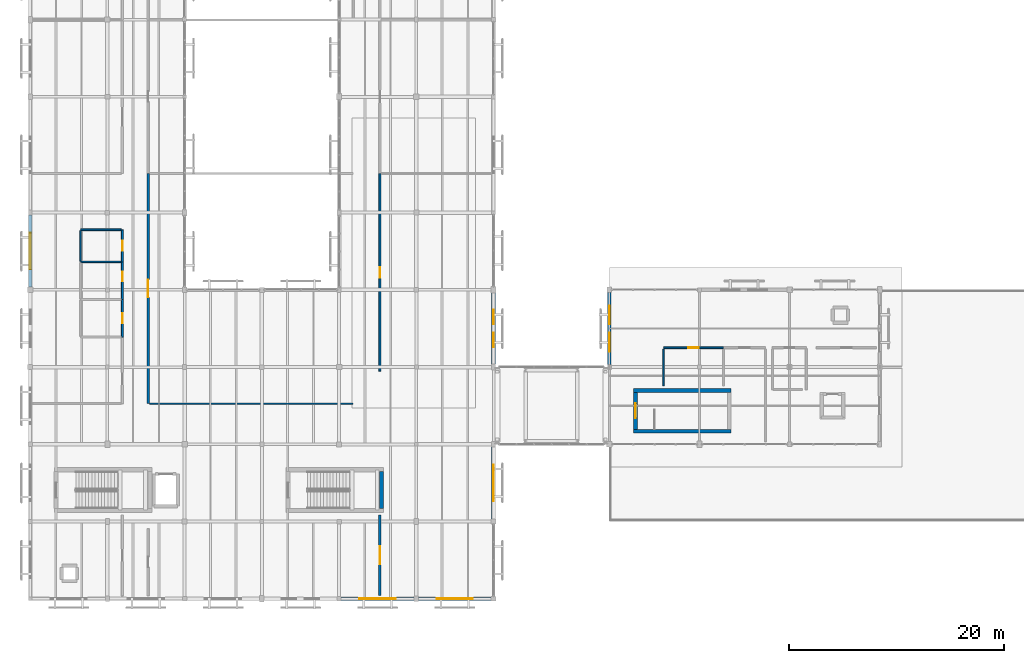
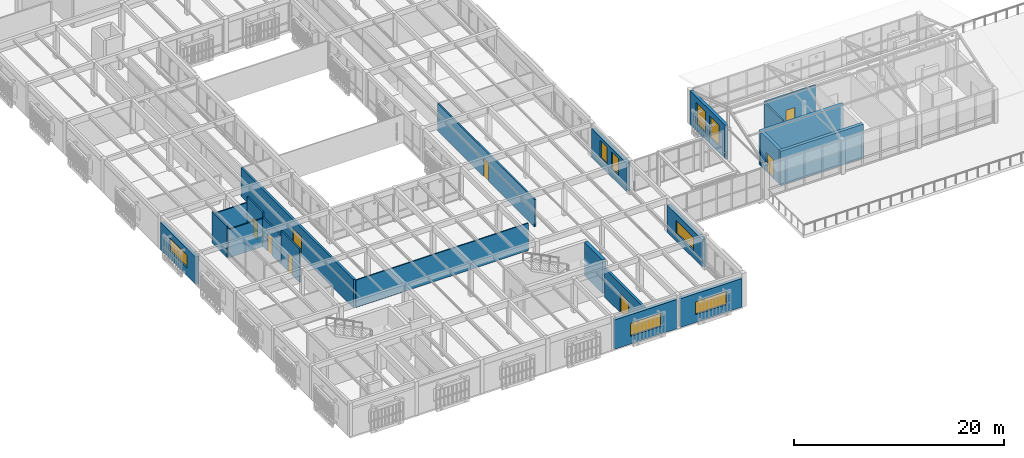
# One storey, part 80 of 112: 22 walls, 8 doors, 8 windows, 16 openings.
"""IFC4 building model written with IfcOpenShell, lengths in metres."""

import ifcopenshell
import ifcopenshell.guid

model = None  # the IFC model being written
_history = None  # IfcOwnerHistory: only IFC2X3 demands one
_inside = {}  # id of a spatial element -> (the spatial element, [elements in it])
_under = {}  # id of a project, library or spatial element -> (it, [spatial elements below it])
_declared = {}  # id of a project -> (the project, [libraries it declares])
_typed = {}  # id of a type object -> (the type object, [elements of that type])
_made_of = {}  # id of a material, layer set ... -> (it, [elements and type objects made of it])


def new_model(schema):
    """Start an empty IFC model of exactly this schema.

    Asked for "IFC4X3", IfcOpenShell would pick the latest addendum, in which some entities
    have other attributes; the version numbers below select the first issue.
    IFC2X3 requires an IfcOwnerHistory on every rooted entity: one is made here for all.
    """
    global model, _history
    if schema == "IFC4X3":
        model = ifcopenshell.file(schema_version=(4, 3, 0, 0))
    else:
        model = ifcopenshell.file(schema=schema)
    _inside.clear()
    _under.clear()
    _declared.clear()
    _typed.clear()
    _made_of.clear()
    _history = None
    if model.schema == "IFC2X3":
        org = make("IfcOrganization", Name="unknown")
        user = make(
            "IfcPersonAndOrganization",
            ThePerson=make("IfcPerson", FamilyName="unknown"),
            TheOrganization=org,
        )
        app = make(
            "IfcApplication",
            ApplicationDeveloper=org,
            Version="unknown",
            ApplicationFullName="unknown",
            ApplicationIdentifier="unknown",
        )
        _history = make(
            "IfcOwnerHistory",
            OwningUser=user,
            OwningApplication=app,
            ChangeAction="ADDED",
            CreationDate=0,
        )
    return model


def make(cls, **values):
    """One entity of the class cls with the attributes given. An attribute that is None is left unset."""
    return model.create_entity(
        cls, **{name: value for name, value in values.items() if value is not None}
    )


def rooted(cls, **values):
    """An entity with a GlobalId (a new one), such as an element, a storey or a relation."""
    return make(cls, GlobalId=ifcopenshell.guid.new(), OwnerHistory=_history, **values)


def si_unit(unit_type, name, prefix=None):
    """IfcSIUnit, for example si_unit("LENGTHUNIT", "METRE", prefix="MILLI")."""
    return make("IfcSIUnit", UnitType=unit_type, Prefix=prefix, Name=name)


def assignment(units):
    """IfcUnitAssignment: the units of a project."""
    return None if units is None else make("IfcUnitAssignment", Units=units)


def point(xyz):
    """IfcCartesianPoint."""
    return None if xyz is None else make("IfcCartesianPoint", Coordinates=xyz)


def direction(xyz):
    """IfcDirection."""
    return None if xyz is None else make("IfcDirection", DirectionRatios=xyz)


def frame(location, z_axis=None, x_axis=None):
    """IfcAxis2Placement3D, a coordinate frame: its origin and axes. An axis left out is left unset."""
    return make(
        "IfcAxis2Placement3D",
        Location=point(location),
        Axis=direction(z_axis),
        RefDirection=direction(x_axis),
    )


def frame_2d(location, x_axis=None):
    """IfcAxis2Placement2D, a coordinate frame in the plane: its origin and x axis."""
    return make(
        "IfcAxis2Placement2D", Location=point(location), RefDirection=direction(x_axis)
    )


def origin():
    """The frame at (0, 0, 0) with its axes left unset."""
    return frame((0.0, 0.0, 0.0))


def place(relative_to, where):
    """IfcLocalPlacement: puts the frame where relative to a parent placement (None: the world)."""
    return make(
        "IfcLocalPlacement", PlacementRelTo=relative_to, RelativePlacement=where
    )


def context(
    kind, dimensions, precision=None, world=None, true_north=None, identifier=None
):
    """IfcGeometricRepresentationContext, for example the 3D "Model" context."""
    return make(
        "IfcGeometricRepresentationContext",
        ContextIdentifier=identifier,
        ContextType=kind,
        CoordinateSpaceDimension=dimensions,
        Precision=precision,
        WorldCoordinateSystem=world,
        TrueNorth=true_north,
    )


def subcontext(parent, identifier, kind, view, scale=None):
    """IfcGeometricRepresentationSubContext, for example "Body" below "Model"."""
    return make(
        "IfcGeometricRepresentationSubContext",
        ContextIdentifier=identifier,
        ContextType=kind,
        ParentContext=parent,
        TargetScale=scale,
        TargetView=view,
    )


def project(units=None, contexts=None):
    """IfcProject with its units and contexts."""
    return rooted(
        "IfcProject",
        Name="project",
        RepresentationContexts=contexts,
        UnitsInContext=assignment(units),
    )


def spatial(cls, under=None, at=None, **own):
    """A site, building, storey or space (cls), placed at a placement, below another one or the project."""
    s = rooted(cls, ObjectPlacement=at, **own)
    if under is not None:
        _under.setdefault(under.id(), (under, []))[1].append(s)
    return s


def profile(cls, at=None, kind="AREA", **sizes):
    """A parametric profile (cls). Its sizes go by their IFC names, for example OverallWidth=200.0."""
    return make(cls, ProfileType=kind, Position=at, **sizes)


def rectangle(**sizes):
    """IfcRectangleProfileDef."""
    return profile("IfcRectangleProfileDef", **sizes)


def extrude(swept, where, along, depth):
    """IfcExtrudedAreaSolid: the profile swept, set in the frame where, extruded along a direction by depth."""
    return make(
        "IfcExtrudedAreaSolid",
        SweptArea=swept,
        Position=where,
        ExtrudedDirection=direction(along),
        Depth=depth,
    )


def shape(context_of_items, identifier, shape_type, items):
    """IfcShapeRepresentation: the items that make up one representation, for example the "Body"."""
    return make(
        "IfcShapeRepresentation",
        ContextOfItems=context_of_items,
        RepresentationIdentifier=identifier,
        RepresentationType=shape_type,
        Items=items,
    )


def material(Name=None, Category=None):
    """IfcMaterial."""
    return make("IfcMaterial", Name=Name, Category=Category)


def layer(
    of_material, thickness, ventilated=None, Name=None, Category=None, Priority=None
):
    """IfcMaterialLayer: one layer of a wall or slab, of a material (None: an air gap)."""
    return make(
        "IfcMaterialLayer",
        Material=of_material,
        LayerThickness=thickness,
        IsVentilated=ventilated,
        Name=Name,
        Category=Category,
        Priority=Priority,
    )


def layer_set(layers, Name=None):
    """IfcMaterialLayerSet."""
    return make("IfcMaterialLayerSet", MaterialLayers=layers, LayerSetName=Name)


def made_of(thing, what):
    """Note that an element or type object is made of a material, layer set ...; save() writes the relation."""
    if what is not None:
        _made_of.setdefault(what.id(), (what, []))[1].append(thing)
    return thing


def type_object(cls, material=None, **own):
    """A type object (cls), such as IfcWallType, which elements share."""
    return made_of(rooted(cls, **own), material)


def element(
    cls,
    number,
    at=None,
    inside=None,
    cuts=None,
    type_object=None,
    material=None,
    context=None,
    identifier="Body",
    shape_type=None,
    held_by="IfcProductDefinitionShape",
    body=None,
    shapes=None,
    **own,
):
    """One element of the class cls, such as IfcWall. Its Tag is "e" and its number.

    at: its placement. inside: the storey or other place that contains it. cuts: it is an
    opening in that element (IfcRelVoidsElement). A single representation is given by context,
    identifier, shape_type and body (its items); several are given by shapes. held_by: the class
    of the entity that holds the representations. save() writes the other relations.
    """
    e = rooted(cls, Tag="e%d" % number, ObjectPlacement=at, **own)
    if body is not None:
        shapes = [shape(context, identifier, shape_type, body)]
    if shapes is not None:
        e.Representation = make(held_by, Representations=shapes)
    if inside is not None:
        _inside.setdefault(inside.id(), (inside, []))[1].append(e)
    if cuts is not None:
        rooted(
            "IfcRelVoidsElement", RelatingBuildingElement=cuts, RelatedOpeningElement=e
        )
    if type_object is not None:
        _typed.setdefault(type_object.id(), (type_object, []))[1].append(e)
    return made_of(e, material)


def fill(opening, filler):
    """IfcRelFillsElement: the door or window that sits in an opening."""
    return rooted(
        "IfcRelFillsElement",
        RelatingOpeningElement=opening,
        RelatedBuildingElement=filler,
    )


def aggregate(whole, parts):
    """IfcRelAggregates: a whole, such as a stair, and the parts it consists of."""
    return rooted("IfcRelAggregates", RelatingObject=whole, RelatedObjects=parts)


def save(model, path):
    """Write the relations noted so far, then the file.

    IfcRelAggregates (storeys below a building ...), IfcRelContainedInSpatialStructure (elements
    in a storey), IfcRelDefinesByType, IfcRelAssociatesMaterial and IfcRelDeclares: one each for
    every whole, place, type object, material and project.
    """
    for whole, parts in _under.values():
        aggregate(whole, parts)
    for where, things in _inside.values():
        rooted(
            "IfcRelContainedInSpatialStructure",
            RelatedElements=things,
            RelatingStructure=where,
        )
    for kind, things in _typed.values():
        rooted("IfcRelDefinesByType", RelatedObjects=things, RelatingType=kind)
    for what, things in _made_of.values():
        rooted("IfcRelAssociatesMaterial", RelatedObjects=things, RelatingMaterial=what)
    for by, libraries in _declared.values():
        rooted("IfcRelDeclares", RelatingContext=by, RelatedDefinitions=libraries)
    model.write(path)


model = new_model("IFC4")

# Units and contexts
model_context = context("Model", 3, precision=1e-05, world=origin(), true_north=direction((0.0, 1.0)))
body_context = subcontext(model_context, "Body", "Model", "MODEL_VIEW")
ifc_project = project(units=[si_unit("LENGTHUNIT", "METRE"), si_unit("AREAUNIT", "SQUARE_METRE"), si_unit("VOLUMEUNIT", "CUBIC_METRE"), si_unit("PLANEANGLEUNIT", "RADIAN"), si_unit("MASSUNIT", "GRAM", prefix="KILO")], contexts=[model_context])

# Site, building, storey
site_placement = place(None, origin())
site = spatial("IfcSite", under=ifc_project, at=site_placement, CompositionType="ELEMENT")
building_placement = place(site_placement, origin())
building = spatial("IfcBuilding", under=site, at=building_placement, Name="Mazaris Harbour Polytechnic", CompositionType="ELEMENT")
storey_placement = place(building_placement, frame((0.0, 0.0, 13.800048828125)))
storey = spatial("IfcBuildingStorey", under=building, at=storey_placement, Name="L03", CompositionType="ELEMENT", Elevation=13.800048828125)

# Wall
ifc_material_1 = material(Name="Gypsum Board and Mineral Wool")
ifc_layer_1 = layer(ifc_material_1, 0.1201171875, Name="Gypsum Board and Mineral Wool")
ifc_layer_set_1 = layer_set([ifc_layer_1], Name="Gypsum Board and Mineral Wool")
wall_type_1 = type_object("IfcWallType", Name="Acoustic Stud Partition 120", PredefinedType="PARTITIONING", material=ifc_layer_set_1)
wall_1_placement = place(storey_placement, frame((11.1298828125, 25.385009765625, 0.0), z_axis=(0.0, 0.0, 1.0), x_axis=(1.0, 0.0, 0.0)))
element("IfcWall", 1, at=wall_1_placement, inside=storey, type_object=wall_type_1, Name="V4 L03 Partition 419", PredefinedType="PARTITIONING", context=body_context, shape_type="SweptSolid", body=[
    extrude(rectangle(XDim=18.9501953125, YDim=0.1201171875, at=frame_2d((9.47509765625, 0.0))), origin(), (0.0, 0.0, 1.0), 3.179931640625),
])

# Wall, opening, door
ifc_material_2 = material(Name="Concrete C35/45", Category="concrete")
ifc_layer_2 = layer(ifc_material_2, 0.239990234375, Name="Concrete C35/45")
ifc_layer_set_2 = layer_set([ifc_layer_2], Name="Concrete C35/45")
wall_type_2 = type_object("IfcWallType", Name="Archive Vault Fire Wall 240", PredefinedType="STANDARD", material=ifc_layer_set_2)
wall_2_placement = place(storey_placement, frame((11.0, 25.385009765625, 0.0), z_axis=(0.0, 0.0, 1.0), x_axis=(0.0, 1.0, 0.0)))
wall_2 = element("IfcWall", 2, at=wall_2_placement, inside=storey, type_object=wall_type_2, Name="V4 L03 Partition 418", PredefinedType="STANDARD", context=body_context, shape_type="SweptSolid", body=[
    extrude(rectangle(XDim=21.4619140625, YDim=0.239990234375, at=frame_2d((10.73095703125, 0.0))), origin(), (0.0, 0.0, 1.0), 3.280029296875),
])
opening_1_placement = place(wall_2_placement, frame((9.906005859375, 0.0, 0.0)))
opening_1 = element("IfcOpeningElement", 3, at=opening_1_placement, cuts=wall_2, Name="Opening ID-06D", PredefinedType="OPENING", context=body_context, shape_type="SweptSolid", body=[
    extrude(rectangle(XDim=1.64990234375, YDim=2.25, at=frame_2d((0.824951171875, 1.125))), frame((0.0, 0.1298828125, 0.0), z_axis=(0.0, -1.0, 0.0), x_axis=(1.0, 0.0, 0.0)), (0.0, 0.0, 1.0), 0.260009765625),
])
ifc_material_3 = material(Name="Galvanised Steel S355", Category="steel")
door_type_1 = type_object("IfcDoorType", Name="Plant and Substation Double Door 1650x2250", OperationType="DOUBLE_DOOR_SINGLE_SWING", PredefinedType="DOOR", material=ifc_material_3)
door_1_placement = place(opening_1_placement, origin())
door_1 = element("IfcDoor", 4, at=door_1_placement, inside=storey, type_object=door_type_1, Name="ID-0198", OperationType="DOUBLE_DOOR_SINGLE_SWING", OverallHeight=2.25, OverallWidth=1.64990234375, PredefinedType="DOOR", context=body_context, shape_type="SweptSolid", body=[
    extrude(rectangle(XDim=1.64990234375, YDim=2.25, at=frame_2d((0.824951171875, 1.125))), frame((0.0, 0.02490234375, 0.0), z_axis=(0.0, -1.0, 0.0), x_axis=(1.0, 0.0, 0.0)), (0.0, 0.0, 1.0), 0.050048828125),
])
fill(opening_1, door_1)

wall_3_placement = place(storey_placement, frame((32.60009765625, 7.5, 0.0), z_axis=(0.0, 0.0, 1.0), x_axis=(0.0, 1.0, 0.0)))
wall_3 = element("IfcWall", 5, at=wall_3_placement, inside=storey, type_object=wall_type_2, Name="V4 L03 Partition 427", PredefinedType="STANDARD", context=body_context, shape_type="SweptSolid", body=[
    extrude(rectangle(XDim=7.4951171875, YDim=0.239990234375, at=frame_2d((3.74755859375, 0.0))), origin(), (0.0, 0.0, 1.0), 3.33984375),
])
opening_2_placement = place(wall_3_placement, frame((2.922607421875, 0.0, 0.0)))
opening_2 = element("IfcOpeningElement", 6, at=opening_2_placement, cuts=wall_3, Name="Opening ID-06D", PredefinedType="OPENING", context=body_context, shape_type="SweptSolid", body=[
    extrude(rectangle(XDim=1.64990234375, YDim=2.25, at=frame_2d((0.824951171875, 1.125))), frame((0.0, 0.1298828125, 0.0), z_axis=(0.0, -1.0, 0.0), x_axis=(1.0, 0.0, 0.0)), (0.0, 0.0, 1.0), 0.260009765625),
])
door_2_placement = place(opening_2_placement, origin())
door_2 = element("IfcDoor", 7, at=door_2_placement, inside=storey, type_object=door_type_1, Name="ID-0202", OperationType="DOUBLE_DOOR_SINGLE_SWING", OverallHeight=2.25, OverallWidth=1.64990234375, PredefinedType="DOOR", context=body_context, shape_type="SweptSolid", body=[
    extrude(rectangle(XDim=1.64990234375, YDim=2.25, at=frame_2d((0.824951171875, 1.125))), frame((0.0, 0.02490234375, 0.0), z_axis=(0.0, -1.0, 0.0), x_axis=(1.0, 0.0, 0.0)), (0.0, 0.0, 1.0), 0.050048828125),
])
fill(opening_2, door_2)

ifc_material_4 = material(Name="Terracotta Block and Plaster", Category="masonry")
ifc_layer_3 = layer(ifc_material_4, 0.179931640625, Name="Terracotta Block and Plaster")
ifc_layer_set_3 = layer_set([ifc_layer_3], Name="Terracotta Block and Plaster")
wall_type_3 = type_object("IfcWallType", Name="Corridor Fire Partition 180", PredefinedType="PARTITIONING", material=ifc_layer_set_3)
wall_4_placement = place(storey_placement, frame((59.049072265625, 30.60009765625, 0.0), z_axis=(0.0, 0.0, 1.0), x_axis=(1.0, 0.0, 0.0)))
wall_4 = element("IfcWall", 8, at=wall_4_placement, inside=storey, type_object=wall_type_3, Name="V3 L03 Partition 237", PredefinedType="PARTITIONING", context=body_context, shape_type="SweptSolid", body=[
    extrude(rectangle(XDim=5.60498046875, YDim=0.179931640625, at=frame_2d((2.802490234375, 0.0))), origin(), (0.0, 0.0, 1.0), 3.9599609375),
])
opening_3_placement = place(wall_4_placement, frame((2.3125, 0.0, 0.0)))
opening_3 = element("IfcOpeningElement", 9, at=opening_3_placement, cuts=wall_4, Name="Opening ID-08L", PredefinedType="OPENING", context=body_context, shape_type="SweptSolid", body=[
    extrude(rectangle(XDim=0.97998046875, YDim=2.179931640625, at=frame_2d((0.489990234375, 1.08984375))), frame((0.0, 0.099853515625, 0.0), z_axis=(0.0, -1.0, 0.0), x_axis=(1.0, 0.0, 0.0)), (0.0, 0.0, 1.0), 0.199951171875),
])
ifc_material_5 = material(Name="Solid Oak Timber", Category="wood")
door_type_2 = type_object("IfcDoorType", Name="Seminar Room Door LH 980x2180", OperationType="SINGLE_SWING_LEFT", PredefinedType="DOOR", material=ifc_material_5)
door_3_placement = place(opening_3_placement, origin())
door_3 = element("IfcDoor", 10, at=door_3_placement, inside=storey, type_object=door_type_2, Name="ID-0108", OperationType="SINGLE_SWING_LEFT", OverallHeight=2.179931640625, OverallWidth=0.97998046875, PredefinedType="DOOR", context=body_context, shape_type="SweptSolid", body=[
    extrude(rectangle(XDim=0.97998046875, YDim=2.179931640625, at=frame_2d((0.489990234375, 1.08984375))), frame((0.0, 0.02490234375, 0.0), z_axis=(0.0, -1.0, 0.0), x_axis=(1.0, 0.0, 0.0)), (0.0, 0.0, 1.0), 0.050048828125),
])
fill(opening_3, door_3)

wall_5_placement = place(storey_placement, frame((32.60009765625, 28.419921875, 0.0), z_axis=(0.0, 0.0, 1.0), x_axis=(0.0, 1.0, 0.0)))
wall_5 = element("IfcWall", 11, at=wall_5_placement, inside=storey, type_object=wall_type_3, Name="V4 L03 Partition 428", PredefinedType="PARTITIONING", context=body_context, shape_type="SweptSolid", body=[
    extrude(rectangle(XDim=18.427001953125, YDim=0.179931640625, at=frame_2d((9.21337890625, 0.0))), origin(), (0.0, 0.0, 1.0), 3.179931640625),
])
opening_4_placement = place(wall_5_placement, frame((8.723388671875, 0.0, 0.0)))
opening_4 = element("IfcOpeningElement", 12, at=opening_4_placement, cuts=wall_5, Name="Opening ID-08L", PredefinedType="OPENING", context=body_context, shape_type="SweptSolid", body=[
    extrude(rectangle(XDim=0.97998046875, YDim=2.179931640625, at=frame_2d((0.489990234375, 1.08984375))), frame((0.0, 0.099853515625, 0.0), z_axis=(0.0, -1.0, 0.0), x_axis=(1.0, 0.0, 0.0)), (0.0, 0.0, 1.0), 0.199951171875),
])
door_4_placement = place(opening_4_placement, origin())
door_4 = element("IfcDoor", 13, at=door_4_placement, inside=storey, type_object=door_type_2, Name="ID-0203", OperationType="SINGLE_SWING_LEFT", OverallHeight=2.179931640625, OverallWidth=0.97998046875, PredefinedType="DOOR", context=body_context, shape_type="SweptSolid", body=[
    extrude(rectangle(XDim=0.97998046875, YDim=2.179931640625, at=frame_2d((0.489990234375, 1.08984375))), frame((0.0, 0.02490234375, 0.0), z_axis=(0.0, -1.0, 0.0), x_axis=(1.0, 0.0, 0.0)), (0.0, 0.0, 1.0), 0.050048828125),
])
fill(opening_4, door_4)

ifc_material_6 = material(Name="Moisture-Resistant Blockwork", Category="masonry")
ifc_layer_4 = layer(ifc_material_6, 0.175048828125, Name="Moisture-Resistant Blockwork")
ifc_layer_set_4 = layer_set([ifc_layer_4], Name="Moisture-Resistant Blockwork")
wall_type_4 = type_object("IfcWallType", Name="Laboratory Wet Service Wall 175", PredefinedType="PLUMBINGWALL", material=ifc_layer_set_4)
wall_6_placement = place(storey_placement, frame((8.60009765625, 31.60009765625, 0.0), z_axis=(0.0, 0.0, 1.0), x_axis=(0.0, 1.0, 0.0)))
wall_6 = element("IfcWall", 14, at=wall_6_placement, inside=storey, type_object=wall_type_4, Name="V4 L03 Partition 398", PredefinedType="PLUMBINGWALL", context=body_context, shape_type="SweptSolid", body=[
    extrude(rectangle(XDim=3.5, YDim=0.175048828125, at=frame_2d((1.75, 0.0))), origin(), (0.0, 0.0, 1.0), 3.919921875),
])
opening_5_placement = place(wall_6_placement, frame((1.300048828125, 0.0, 0.0)))
opening_5 = element("IfcOpeningElement", 15, at=opening_5_placement, cuts=wall_6, Name="Opening ID-07R", PredefinedType="OPENING", context=body_context, shape_type="SweptSolid", body=[
    extrude(rectangle(XDim=0.89990234375, YDim=2.10009765625, at=frame_2d((0.449951171875, 1.050048828125))), frame((0.0, 0.097412109375, 0.0), z_axis=(0.0, -1.0, 0.0), x_axis=(1.0, 0.0, 0.0)), (0.0, 0.0, 1.0), 0.195068359375),
])
ifc_material_7 = material(Name="Moisture-Resistant Laminate Timber", Category="wood")
door_type_3 = type_object("IfcDoorType", Name="Sanitary Room Door RH 900x2100", OperationType="SINGLE_SWING_RIGHT", PredefinedType="DOOR", material=ifc_material_7)
door_5_placement = place(opening_5_placement, origin())
door_5 = element("IfcDoor", 16, at=door_5_placement, inside=storey, type_object=door_type_3, Name="ID-0189", OperationType="SINGLE_SWING_RIGHT", OverallHeight=2.10009765625, OverallWidth=0.89990234375, PredefinedType="DOOR", context=body_context, shape_type="SweptSolid", body=[
    extrude(rectangle(XDim=0.89990234375, YDim=2.10009765625, at=frame_2d((0.449951171875, 1.050048828125))), frame((0.0, 0.02490234375, 0.0), z_axis=(0.0, -1.0, 0.0), x_axis=(1.0, 0.0, 0.0)), (0.0, 0.0, 1.0), 0.050048828125),
])
fill(opening_5, door_5)

wall_7_placement = place(storey_placement, frame((8.60009765625, 35.10498046875, 0.0), z_axis=(0.0, 0.0, 1.0), x_axis=(0.0, 1.0, 0.0)))
wall_7 = element("IfcWall", 17, at=wall_7_placement, inside=storey, type_object=wall_type_4, Name="V4 L03 Partition 402", PredefinedType="PLUMBINGWALL", context=body_context, shape_type="SweptSolid", body=[
    extrude(rectangle(XDim=3.4951171875, YDim=0.175048828125, at=frame_2d((1.74755859375, 0.0))), origin(), (0.0, 0.0, 1.0), 3.33984375),
])
opening_6_placement = place(wall_7_placement, frame((1.686767578125, 0.0, 0.0)))
opening_6 = element("IfcOpeningElement", 18, at=opening_6_placement, cuts=wall_7, Name="Opening ID-07R", PredefinedType="OPENING", context=body_context, shape_type="SweptSolid", body=[
    extrude(rectangle(XDim=0.89990234375, YDim=2.10009765625, at=frame_2d((0.449951171875, 1.050048828125))), frame((0.0, 0.097412109375, 0.0), z_axis=(0.0, -1.0, 0.0), x_axis=(1.0, 0.0, 0.0)), (0.0, 0.0, 1.0), 0.195068359375),
])
door_6_placement = place(opening_6_placement, origin())
door_6 = element("IfcDoor", 19, at=door_6_placement, inside=storey, type_object=door_type_3, Name="ID-0190", OperationType="SINGLE_SWING_RIGHT", OverallHeight=2.10009765625, OverallWidth=0.89990234375, PredefinedType="DOOR", context=body_context, shape_type="SweptSolid", body=[
    extrude(rectangle(XDim=0.89990234375, YDim=2.10009765625, at=frame_2d((0.449951171875, 1.050048828125))), frame((0.0, 0.02490234375, 0.0), z_axis=(0.0, -1.0, 0.0), x_axis=(1.0, 0.0, 0.0)), (0.0, 0.0, 1.0), 0.050048828125),
])
fill(opening_6, door_6)

wall_8_placement = place(storey_placement, frame((8.60009765625, 38.60498046875, 0.0), z_axis=(0.0, 0.0, 1.0), x_axis=(0.0, 1.0, 0.0)))
wall_8 = element("IfcWall", 20, at=wall_8_placement, inside=storey, type_object=wall_type_4, Name="V4 L03 Partition 405", PredefinedType="PLUMBINGWALL", context=body_context, shape_type="SweptSolid", body=[
    extrude(rectangle(XDim=2.9951171875, YDim=0.175048828125, at=frame_2d((1.49755859375, 0.0))), origin(), (0.0, 0.0, 1.0), 3.919921875),
])
opening_7_placement = place(wall_8_placement, frame((1.03759765625, 0.0, 0.0)))
opening_7 = element("IfcOpeningElement", 21, at=opening_7_placement, cuts=wall_8, Name="Opening ID-07L", PredefinedType="OPENING", context=body_context, shape_type="SweptSolid", body=[
    extrude(rectangle(XDim=0.919921875, YDim=2.10009765625, at=frame_2d((0.4599609375, 1.050048828125))), frame((0.0, 0.097412109375, 0.0), z_axis=(0.0, -1.0, 0.0), x_axis=(1.0, 0.0, 0.0)), (0.0, 0.0, 1.0), 0.195068359375),
])
ifc_material_8 = material(Name="Moisture-Resistant Laminate Timber", Category="wood")
door_type_4 = type_object("IfcDoorType", Name="Accessible Toilet Door LH 920x2100", OperationType="SINGLE_SWING_LEFT", PredefinedType="DOOR", material=ifc_material_8)
door_7_placement = place(opening_7_placement, origin())
door_7 = element("IfcDoor", 22, at=door_7_placement, inside=storey, type_object=door_type_4, Name="ID-0191", OperationType="SINGLE_SWING_LEFT", OverallHeight=2.10009765625, OverallWidth=0.919921875, PredefinedType="DOOR", context=body_context, shape_type="SweptSolid", body=[
    extrude(rectangle(XDim=0.919921875, YDim=2.10009765625, at=frame_2d((0.4599609375, 1.050048828125))), frame((0.0, 0.02490234375, 0.0), z_axis=(0.0, -1.0, 0.0), x_axis=(1.0, 0.0, 0.0)), (0.0, 0.0, 1.0), 0.050048828125),
])
fill(opening_7, door_7)

# Wall, opening, window
ifc_material_9 = material(Name="Algerian Buff Limestone and Concrete C30/37", Category="masonry")
ifc_layer_5 = layer(ifc_material_9, 0.360107421875, Name="Algerian Buff Limestone and Concrete C30/37")
ifc_layer_set_5 = layer_set([ifc_layer_5], Name="Algerian Buff Limestone and Concrete C30/37")
wall_type_5 = type_object("IfcWallType", Name="Limestone Ashlar Exterior Wall 360", PredefinedType="STANDARD", material=ifc_layer_set_5)
wall_9_placement = place(storey_placement, frame((35.80810546875, 7.199951171875, 0.0), z_axis=(0.0, 0.0, 1.0), x_axis=(-1.0, 0.0, 0.0)))
wall_9 = element("IfcWall", 23, at=wall_9_placement, inside=storey, type_object=wall_type_5, Name="V4 L03 Exterior Wall 220", PredefinedType="STANDARD", context=body_context, shape_type="SweptSolid", body=[
    extrude(rectangle(XDim=6.826171875, YDim=0.360107421875, at=frame_2d((3.4130859375, 0.0))), origin(), (0.0, 0.0, 1.0), 3.39990234375),
])
opening_8_placement = place(wall_9_placement, frame((1.712890625, 0.0, 0.89990234375)))
opening_8 = element("IfcOpeningElement", 24, at=opening_8_placement, cuts=wall_9, Name="Opening WN-16", PredefinedType="OPENING", context=body_context, shape_type="SweptSolid", body=[
    extrude(rectangle(XDim=3.39990234375, YDim=1.5, at=frame_2d((1.699951171875, 0.75))), frame((0.0, 0.18994140625, 0.0), z_axis=(0.0, -1.0, 0.0), x_axis=(1.0, 0.0, 0.0)), (0.0, 0.0, 1.0), 0.380126953125),
])
ifc_material_10 = material(Name="Thermally Broken Bronze Aluminium and Low-E Glass", Category="aluminium")
window_type_1 = type_object("IfcWindowType", Name="Workshop Clerestory Ribbon 3400x1500", PartitioningType="DOUBLE_PANEL_VERTICAL", PredefinedType="WINDOW", material=ifc_material_10)
window_1_placement = place(opening_8_placement, origin())
window_1 = element("IfcWindow", 25, at=window_1_placement, inside=storey, type_object=window_type_1, Name="WN-0223", OverallHeight=1.5, OverallWidth=3.39990234375, PartitioningType="DOUBLE_PANEL_VERTICAL", PredefinedType="WINDOW", context=body_context, shape_type="SweptSolid", body=[
    extrude(rectangle(XDim=3.39990234375, YDim=1.5, at=frame_2d((1.699951171875, 0.75))), frame((0.0, 0.030029296875, 0.0), z_axis=(0.0, -1.0, 0.0), x_axis=(1.0, 0.0, 0.0)), (0.0, 0.0, 1.0), 0.06005859375),
])
fill(opening_8, window_1)

wall_10_placement = place(storey_placement, frame((42.97802734375, 7.199951171875, 0.0), z_axis=(0.0, 0.0, 1.0), x_axis=(-1.0, 0.0, 0.0)))
wall_10 = element("IfcWall", 26, at=wall_10_placement, inside=storey, type_object=wall_type_5, Name="V4 L03 Exterior Wall 221", PredefinedType="STANDARD", context=body_context, shape_type="SweptSolid", body=[
    extrude(rectangle(XDim=6.7861328125, YDim=0.360107421875, at=frame_2d((3.39306640625, 0.0))), origin(), (0.0, 0.0, 1.0), 3.33984375),
])
opening_9_placement = place(wall_10_placement, frame((1.693115234375, 0.0, 0.89990234375)))
opening_9 = element("IfcOpeningElement", 27, at=opening_9_placement, cuts=wall_10, Name="Opening WN-16", PredefinedType="OPENING", context=body_context, shape_type="SweptSolid", body=[
    extrude(rectangle(XDim=3.39990234375, YDim=1.5, at=frame_2d((1.699951171875, 0.75))), frame((0.0, 0.18994140625, 0.0), z_axis=(0.0, -1.0, 0.0), x_axis=(1.0, 0.0, 0.0)), (0.0, 0.0, 1.0), 0.380126953125),
])
window_2_placement = place(opening_9_placement, origin())
window_2 = element("IfcWindow", 28, at=window_2_placement, inside=storey, type_object=window_type_1, Name="WN-0224", OverallHeight=1.5, OverallWidth=3.39990234375, PartitioningType="DOUBLE_PANEL_VERTICAL", PredefinedType="WINDOW", context=body_context, shape_type="SweptSolid", body=[
    extrude(rectangle(XDim=3.39990234375, YDim=1.5, at=frame_2d((1.699951171875, 0.75))), frame((0.0, 0.030029296875, 0.0), z_axis=(0.0, -1.0, 0.0), x_axis=(1.0, 0.0, 0.0)), (0.0, 0.0, 1.0), 0.06005859375),
])
fill(opening_9, window_2)

wall_11_placement = place(storey_placement, frame((0.0, 36.241943359375, 0.0), z_axis=(0.0, 0.0, 1.0), x_axis=(0.0, 1.0, 0.0)))
wall_11 = element("IfcWall", 29, at=wall_11_placement, inside=storey, type_object=wall_type_5, Name="V4 L03 Exterior Wall 232", PredefinedType="STANDARD", context=body_context, shape_type="SweptSolid", body=[
    extrude(rectangle(XDim=6.72607421875, YDim=0.360107421875, at=frame_2d((3.363037109375, 0.0))), origin(), (0.0, 0.0, 1.0), 3.179931640625),
])
opening_10_placement = place(wall_11_placement, frame((1.6630859375, 0.0, 0.89990234375)))
opening_10 = element("IfcOpeningElement", 30, at=opening_10_placement, cuts=wall_11, Name="Opening WN-16", PredefinedType="OPENING", context=body_context, shape_type="SweptSolid", body=[
    extrude(rectangle(XDim=3.39990234375, YDim=1.5, at=frame_2d((1.699951171875, 0.75))), frame((0.0, 0.18994140625, 0.0), z_axis=(0.0, -1.0, 0.0), x_axis=(1.0, 0.0, 0.0)), (0.0, 0.0, 1.0), 0.380126953125),
])
window_3_placement = place(opening_10_placement, origin())
window_3 = element("IfcWindow", 31, at=window_3_placement, inside=storey, type_object=window_type_1, Name="WN-0242", OverallHeight=1.5, OverallWidth=3.39990234375, PartitioningType="DOUBLE_PANEL_VERTICAL", PredefinedType="WINDOW", context=body_context, shape_type="SweptSolid", body=[
    extrude(rectangle(XDim=3.39990234375, YDim=1.5, at=frame_2d((1.699951171875, 0.75))), frame((0.0, 0.030029296875, 0.0), z_axis=(0.0, -1.0, 0.0), x_axis=(1.0, 0.0, 0.0)), (0.0, 0.0, 1.0), 0.06005859375),
])
fill(opening_10, window_3)

wall_12_placement = place(storey_placement, frame((43.199951171875, 21.367919921875, 0.0), z_axis=(0.0, 0.0, 1.0), x_axis=(0.0, -1.0, 0.0)))
wall_12 = element("IfcWall", 32, at=wall_12_placement, inside=storey, type_object=wall_type_5, Name="V4 L03 Exterior Wall 240", PredefinedType="STANDARD", context=body_context, shape_type="SweptSolid", body=[
    extrude(rectangle(XDim=6.725830078125, YDim=0.360107421875, at=frame_2d((3.36279296875, 0.0))), origin(), (0.0, 0.0, 1.0), 3.179931640625),
])
opening_11_placement = place(wall_12_placement, frame((1.6630859375, 0.0, 0.89990234375)))
opening_11 = element("IfcOpeningElement", 33, at=opening_11_placement, cuts=wall_12, Name="Opening WN-16", PredefinedType="OPENING", context=body_context, shape_type="SweptSolid", body=[
    extrude(rectangle(XDim=3.39990234375, YDim=1.5, at=frame_2d((1.699951171875, 0.75))), frame((0.0, 0.18994140625, 0.0), z_axis=(0.0, -1.0, 0.0), x_axis=(1.0, 0.0, 0.0)), (0.0, 0.0, 1.0), 0.380126953125),
])
window_4_placement = place(opening_11_placement, origin())
window_4 = element("IfcWindow", 34, at=window_4_placement, inside=storey, type_object=window_type_1, Name="WN-0253", OverallHeight=1.5, OverallWidth=3.39990234375, PartitioningType="DOUBLE_PANEL_VERTICAL", PredefinedType="WINDOW", context=body_context, shape_type="SweptSolid", body=[
    extrude(rectangle(XDim=3.39990234375, YDim=1.5, at=frame_2d((1.699951171875, 0.75))), frame((0.0, 0.030029296875, 0.0), z_axis=(0.0, -1.0, 0.0), x_axis=(1.0, 0.0, 0.0)), (0.0, 0.0, 1.0), 0.06005859375),
])
fill(opening_11, window_4)

# Wall, openings, windows
wall_13_placement = place(storey_placement, frame((43.199951171875, 35.7080078125, 0.0), z_axis=(0.0, 0.0, 1.0), x_axis=(0.0, -1.0, 0.0)))
wall_13 = element("IfcWall", 35, at=wall_13_placement, inside=storey, type_object=wall_type_5, Name="V4 L03 Exterior Wall 241", PredefinedType="STANDARD", context=body_context, shape_type="SweptSolid", body=[
    extrude(rectangle(XDim=6.64599609375, YDim=0.360107421875, at=frame_2d((3.322998046875, 0.0))), origin(), (0.0, 0.0, 1.0), 3.33984375),
])
opening_12_placement = place(wall_13_placement, frame((1.572998046875, 0.0, 0.949951171875)))
opening_12 = element("IfcOpeningElement", 36, at=opening_12_placement, cuts=wall_13, Name="Opening WN-30", PredefinedType="OPENING", context=body_context, shape_type="SweptSolid", body=[
    extrude(rectangle(XDim=1.35009765625, YDim=2.0, at=frame_2d((0.675048828125, 1.0))), frame((0.0, 0.18994140625, 0.0), z_axis=(0.0, -1.0, 0.0), x_axis=(1.0, 0.0, 0.0)), (0.0, 0.0, 1.0), 0.380126953125),
])
opening_13_placement = place(wall_13_placement, frame((3.722900390625, 0.0, 0.949951171875)))
opening_13 = element("IfcOpeningElement", 37, at=opening_13_placement, cuts=wall_13, Name="Opening WN-30", PredefinedType="OPENING", context=body_context, shape_type="SweptSolid", body=[
    extrude(rectangle(XDim=1.35009765625, YDim=2.0, at=frame_2d((0.675048828125, 1.0))), frame((0.0, 0.18994140625, 0.0), z_axis=(0.0, -1.0, 0.0), x_axis=(1.0, 0.0, 0.0)), (0.0, 0.0, 1.0), 0.380126953125),
])
ifc_material_11 = material(Name="Thermally Broken Bronze Aluminium and Low-E Glass", Category="aluminium")
window_type_2 = type_object("IfcWindowType", Name="Pavilion Side Window 1350x2000", PartitioningType="DOUBLE_PANEL_VERTICAL", PredefinedType="WINDOW", material=ifc_material_11)
window_5_placement = place(opening_12_placement, origin())
window_5 = element("IfcWindow", 38, at=window_5_placement, inside=storey, type_object=window_type_2, Name="WN-0254", OverallHeight=2.0, OverallWidth=1.35009765625, PartitioningType="DOUBLE_PANEL_VERTICAL", PredefinedType="WINDOW", context=body_context, shape_type="SweptSolid", body=[
    extrude(rectangle(XDim=1.35009765625, YDim=2.0, at=frame_2d((0.675048828125, 1.0))), frame((0.0, 0.030029296875, 0.0), z_axis=(0.0, -1.0, 0.0), x_axis=(1.0, 0.0, 0.0)), (0.0, 0.0, 1.0), 0.06005859375),
])
fill(opening_12, window_5)
window_6_placement = place(opening_13_placement, origin())
window_6 = element("IfcWindow", 39, at=window_6_placement, inside=storey, type_object=window_type_2, Name="WN-0255", OverallHeight=2.0, OverallWidth=1.35009765625, PartitioningType="DOUBLE_PANEL_VERTICAL", PredefinedType="WINDOW", context=body_context, shape_type="SweptSolid", body=[
    extrude(rectangle(XDim=1.35009765625, YDim=2.0, at=frame_2d((0.675048828125, 1.0))), frame((0.0, 0.030029296875, 0.0), z_axis=(0.0, -1.0, 0.0), x_axis=(1.0, 0.0, 0.0)), (0.0, 0.0, 1.0), 0.06005859375),
])
fill(opening_13, window_6)

ifc_material_12 = material(Name="Algerian Buff Limestone and Mineral Wool", Category="masonry")
ifc_layer_6 = layer(ifc_material_12, 0.330078125, Name="Algerian Buff Limestone and Mineral Wool")
ifc_layer_set_6 = layer_set([ifc_layer_6], Name="Algerian Buff Limestone and Mineral Wool")
wall_type_6 = type_object("IfcWallType", Name="Limestone Cavity Wall 330", PredefinedType="STANDARD", material=ifc_layer_set_6)
wall_14_placement = place(storey_placement, frame((54.0, 29.031982421875, 0.0), z_axis=(0.0, 0.0, 1.0), x_axis=(0.0, 1.0, 0.0)))
wall_14 = element("IfcWall", 40, at=wall_14_placement, inside=storey, type_object=wall_type_6, Name="V3 L03 Exterior Wall 125", PredefinedType="STANDARD", context=body_context, shape_type="SweptSolid", body=[
    extrude(rectangle(XDim=6.7060546875, YDim=0.330078125, at=frame_2d((3.35302734375, 0.0))), origin(), (0.0, 0.0, 1.0), 3.9599609375),
])
opening_14_placement = place(wall_14_placement, frame((1.202880859375, 0.0, 0.85009765625)))
opening_14 = element("IfcOpeningElement", 41, at=opening_14_placement, cuts=wall_14, Name="Opening WN-27", PredefinedType="OPENING", context=body_context, shape_type="SweptSolid", body=[
    extrude(rectangle(XDim=1.75, YDim=2.449951171875, at=frame_2d((0.875, 1.22509765625))), frame((0.0, 0.175048828125, 0.0), z_axis=(0.0, -1.0, 0.0), x_axis=(1.0, 0.0, 0.0)), (0.0, 0.0, 1.0), 0.35009765625),
])
opening_15_placement = place(wall_14_placement, frame((3.7529296875, 0.0, 0.85009765625)))
opening_15 = element("IfcOpeningElement", 42, at=opening_15_placement, cuts=wall_14, Name="Opening WN-27", PredefinedType="OPENING", context=body_context, shape_type="SweptSolid", body=[
    extrude(rectangle(XDim=1.75, YDim=2.449951171875, at=frame_2d((0.875, 1.22509765625))), frame((0.0, 0.175048828125, 0.0), z_axis=(0.0, -1.0, 0.0), x_axis=(1.0, 0.0, 0.0)), (0.0, 0.0, 1.0), 0.35009765625),
])
ifc_material_13 = material(Name="Thermally Broken Bronze Aluminium and Low-E Glass", Category="aluminium")
window_type_3 = type_object("IfcWindowType", Name="Studio Tall Casement 1750x2450", PartitioningType="DOUBLE_PANEL_VERTICAL", PredefinedType="WINDOW", material=ifc_material_13)
window_7_placement = place(opening_14_placement, origin())
window_7 = element("IfcWindow", 43, at=window_7_placement, inside=storey, type_object=window_type_3, Name="WN-0134", OverallHeight=2.449951171875, OverallWidth=1.75, PartitioningType="DOUBLE_PANEL_VERTICAL", PredefinedType="WINDOW", context=body_context, shape_type="SweptSolid", body=[
    extrude(rectangle(XDim=1.75, YDim=2.449951171875, at=frame_2d((0.875, 1.22509765625))), frame((0.0, 0.030029296875, 0.0), z_axis=(0.0, -1.0, 0.0), x_axis=(1.0, 0.0, 0.0)), (0.0, 0.0, 1.0), 0.06005859375),
])
fill(opening_14, window_7)
window_8_placement = place(opening_15_placement, origin())
window_8 = element("IfcWindow", 44, at=window_8_placement, inside=storey, type_object=window_type_3, Name="WN-0135", OverallHeight=2.449951171875, OverallWidth=1.75, PartitioningType="DOUBLE_PANEL_VERTICAL", PredefinedType="WINDOW", context=body_context, shape_type="SweptSolid", body=[
    extrude(rectangle(XDim=1.75, YDim=2.449951171875, at=frame_2d((0.875, 1.22509765625))), frame((0.0, 0.030029296875, 0.0), z_axis=(0.0, -1.0, 0.0), x_axis=(1.0, 0.0, 0.0)), (0.0, 0.0, 1.0), 0.06005859375),
])
fill(opening_15, window_8)

# Walls
ifc_material_14 = material(Name="Concrete C40/50", Category="concrete")
ifc_layer_7 = layer(ifc_material_14, 0.35009765625, Name="Concrete C40/50")
ifc_layer_set_7 = layer_set([ifc_layer_7], Name="Concrete C40/50")
wall_type_7 = type_object("IfcWallType", Name="RC Core Shear Wall 350", PredefinedType="SHEAR", material=ifc_layer_set_7)
for number, where, z_axis, x_axis, name in (
    (45, (56.25, 22.824951171875, 0.0), (0.0, 0.0, 1.0), (1.0, 0.0, 0.0), "Core ST05 L03 Shear Wall S"),
    (46, (65.35009765625, 26.625, 0.0), (0.0, 0.0, 1.0), (-1.0, 0.0, 0.0), "Core ST05 L03 Shear Wall N"),
):
    element("IfcWall", number, at=place(storey_placement, frame(where, z_axis=z_axis, x_axis=x_axis)), inside=storey, type_object=wall_type_7, Name=name, PredefinedType="SHEAR", context=body_context, shape_type="SweptSolid", body=[
        extrude(rectangle(XDim=9.10009765625, YDim=0.35009765625, at=frame_2d((4.550048828125, 0.0))), origin(), (0.0, 0.0, 1.0), 3.9599609375),
    ])

# Wall, opening, door
wall_15_placement = place(storey_placement, frame((56.425048828125, 26.449951171875, 0.0), z_axis=(0.0, 0.0, 1.0), x_axis=(0.0, -1.0, 0.0)))
wall_15 = element("IfcWall", 47, at=wall_15_placement, inside=storey, type_object=wall_type_7, Name="Core ST05 L03 Entrance Shear Wall", PredefinedType="SHEAR", context=body_context, shape_type="SweptSolid", body=[
    extrude(rectangle(XDim=3.449951171875, YDim=0.35009765625, at=frame_2d((1.72509765625, 0.0))), origin(), (0.0, 0.0, 1.0), 3.9599609375),
])
opening_16_placement = place(wall_15_placement, frame((1.034912109375, 0.0, 0.0)))
opening_16 = element("IfcOpeningElement", 48, at=opening_16_placement, cuts=wall_15, Name="Opening SD-01", PredefinedType="OPENING", context=body_context, shape_type="SweptSolid", body=[
    extrude(rectangle(XDim=1.3798828125, YDim=2.199951171875, at=frame_2d((0.68994140625, 1.10009765625))), frame((0.0, 0.18505859375, 0.0), z_axis=(0.0, -1.0, 0.0), x_axis=(1.0, 0.0, 0.0)), (0.0, 0.0, 1.0), 0.3701171875),
])
ifc_material_15 = material(Name="Glulam Timber and Fire Glass", Category="wood")
door_type_5 = type_object("IfcDoorType", Name="Protected Stair Lobby Fire Door 1380x2200", OperationType="DOUBLE_DOOR_SINGLE_SWING", PredefinedType="DOOR", material=ifc_material_15)
door_8_placement = place(opening_16_placement, origin())
door_8 = element("IfcDoor", 49, at=door_8_placement, inside=storey, type_object=door_type_5, Name="SD-023", OperationType="DOUBLE_DOOR_SINGLE_SWING", OverallHeight=2.199951171875, OverallWidth=1.3798828125, PredefinedType="DOOR", context=body_context, shape_type="SweptSolid", body=[
    extrude(rectangle(XDim=1.3798828125, YDim=2.199951171875, at=frame_2d((0.68994140625, 1.10009765625))), frame((0.0, 0.02490234375, 0.0), z_axis=(0.0, -1.0, 0.0), x_axis=(1.0, 0.0, 0.0)), (0.0, 0.0, 1.0), 0.050048828125),
])
fill(opening_16, door_8)

# Walls
ifc_material_16 = material(Name="Concrete C40/50", Category="concrete")
ifc_layer_8 = layer(ifc_material_16, 0.375, Name="Concrete C40/50")
ifc_layer_set_8 = layer_set([ifc_layer_8], Name="Concrete C40/50")
wall_type_8 = type_object("IfcWallType", Name="RC Core Shear Wall 375", PredefinedType="SHEAR", material=ifc_layer_set_8)
wall_16_placement = place(storey_placement, frame((32.77490234375, 15.60009765625, 0.0), z_axis=(0.0, 0.0, 1.0), x_axis=(0.0, 1.0, 0.0)))
element("IfcWall", 50, at=wall_16_placement, inside=storey, type_object=wall_type_8, Name="Core ST08 L03 Shear Wall E", PredefinedType="SHEAR", context=body_context, shape_type="SweptSolid", body=[
    extrude(rectangle(XDim=3.449951171875, YDim=0.375, at=frame_2d((1.72509765625, 0.0))), origin(), (0.0, 0.0, 1.0), 3.919921875),
])
ifc_material_17 = material(Name="Moisture-Resistant Gypsum and Steel Stud", Category="steel")
ifc_layer_9 = layer(ifc_material_17, 0.14501953125, Name="Moisture-Resistant Gypsum and Steel Stud")
ifc_layer_set_9 = layer_set([ifc_layer_9], Name="Moisture-Resistant Gypsum and Steel Stud")
wall_type_9 = type_object("IfcWallType", Name="Sanitary Plumbing Wall 145", PredefinedType="PLUMBINGWALL", material=ifc_layer_set_9)
for number, where, z_axis, x_axis, name in (
    (51, (4.699951171875, 38.60009765625, 0.0), (0.0, 0.0, 1.0), (1.0, 0.0, 0.0), "V4 L03 Partition 403"),
    (52, (4.699951171875, 41.60009765625, 0.0), (0.0, 0.0, 1.0), (1.0, 0.0, 0.0), "V4 L03 Partition 406"),
):
    element("IfcWall", number, at=place(storey_placement, frame(where, z_axis=z_axis, x_axis=x_axis)), inside=storey, type_object=wall_type_9, Name=name, PredefinedType="PLUMBINGWALL", context=body_context, shape_type="SweptSolid", body=[
        extrude(rectangle(XDim=3.780029296875, YDim=0.14501953125, at=frame_2d((1.89013671875, 0.0))), origin(), (0.0, 0.0, 1.0), 3.280029296875),
    ])
wall_17_placement = place(storey_placement, frame((4.699951171875, 38.6826171875, 0.0), z_axis=(0.0, 0.0, 1.0), x_axis=(0.0, 1.0, 0.0)))
element("IfcWall", 53, at=wall_17_placement, inside=storey, type_object=wall_type_9, Name="V4 L03 Partition 407", PredefinedType="PLUMBINGWALL", context=body_context, shape_type="SweptSolid", body=[
    extrude(rectangle(XDim=2.8349609375, YDim=0.14501953125, at=frame_2d((1.41748046875, 0.0))), origin(), (0.0, 0.0, 1.0), 3.619873046875),
])
ifc_material_18 = material(Name="Gypsum Board and Mineral Wool")
ifc_layer_10 = layer(ifc_material_18, 0.135009765625, Name="Gypsum Board and Mineral Wool")
ifc_layer_set_10 = layer_set([ifc_layer_10], Name="Gypsum Board and Mineral Wool")
wall_type_10 = type_object("IfcWallType", Name="Studio Partition Wall 135", PredefinedType="PARTITIONING", material=ifc_layer_set_10)
wall_18_placement = place(storey_placement, frame((59.049072265625, 27.054931640625, 0.0), z_axis=(0.0, 0.0, 1.0), x_axis=(0.0, 1.0, 0.0)))
element("IfcWall", 54, at=wall_18_placement, inside=storey, type_object=wall_type_10, Name="V3 L03 Partition 238", PredefinedType="PARTITIONING", context=body_context, shape_type="SweptSolid", body=[
    extrude(rectangle(XDim=3.425048828125, YDim=0.135009765625, at=frame_2d((1.71240234375, 0.0))), origin(), (0.0, 0.0, 1.0), 3.9599609375),
])

save(model, "model.ifc")
